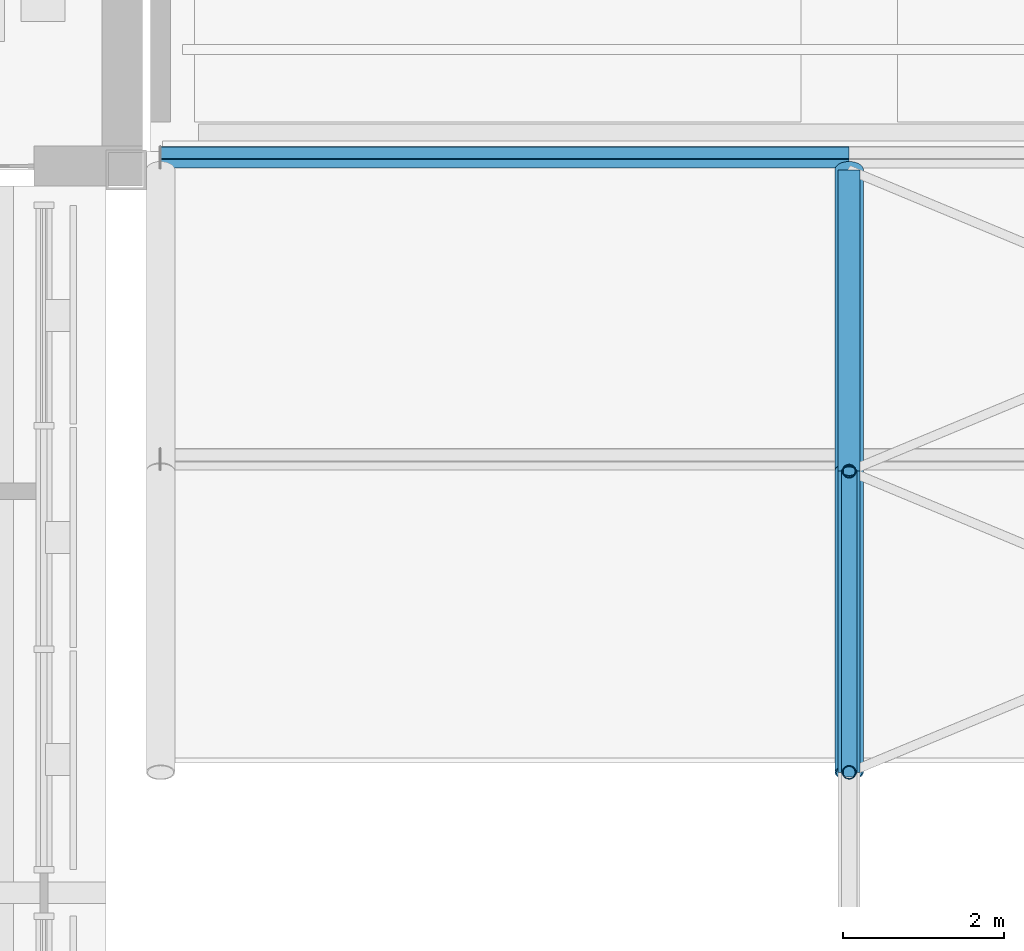
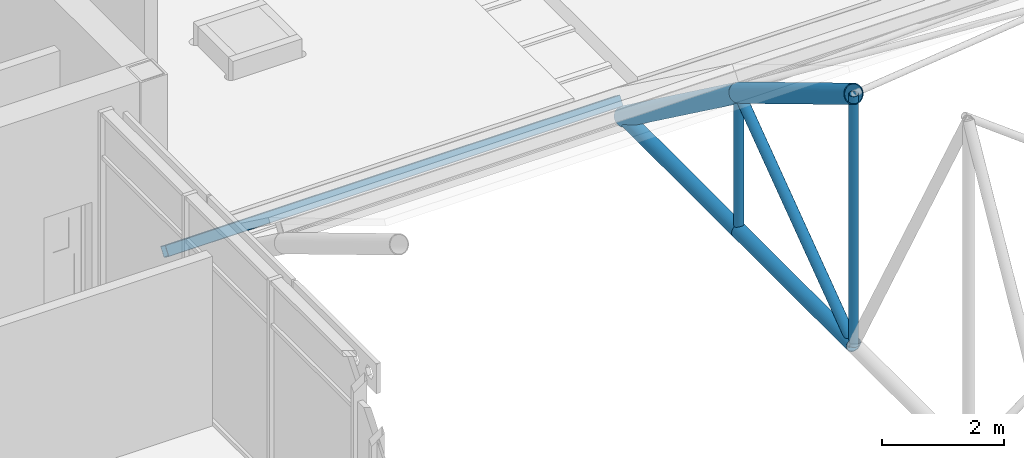
# One storey, part 39 of 153: 8 members.
"""IFC4 building model written with IfcOpenShell, lengths in metres."""

from ifc_helpers import new_model, si_unit, direction, frame, origin, origin_2d, place, context, subcontext, project, spatial, hollow_rectangle, hollow_circle, extrude, material, material_profile, profile_set, type_object, element, save


model = new_model("IFC4")

# Units and contexts
model_context = context("Model", 3, precision=1e-05, world=origin(), true_north=direction((0.0, 1.0)))
body_context = subcontext(model_context, "Body", "Model", "MODEL_VIEW")
ifc_project = project(units=[si_unit("LENGTHUNIT", "METRE"), si_unit("AREAUNIT", "SQUARE_METRE"), si_unit("VOLUMEUNIT", "CUBIC_METRE"), si_unit("PLANEANGLEUNIT", "RADIAN"), si_unit("MASSUNIT", "GRAM", prefix="KILO")], contexts=[model_context])

# Site, building, storey
site_placement = place(None, origin())
site = spatial("IfcSite", under=ifc_project, at=site_placement, CompositionType="ELEMENT")
building_placement = place(site_placement, origin())
building = spatial("IfcBuilding", under=site, at=building_placement, Name="Baradari Gate Terminus", CompositionType="ELEMENT")
storey_placement = place(building_placement, frame((0.0, 0.0, 11.699951171875)))
storey = spatial("IfcBuildingStorey", under=building, at=storey_placement, Name="L02", CompositionType="ELEMENT", Elevation=11.699951171875)

# Members
ifc_material_1 = material(Name="Steel S355", Category="steel")
ifc_material_profile_1 = material_profile(ifc_material_1, hollow_circle(Radius=0.136474609375, WallThickness=0.012451171875, at=origin_2d()), Name="CHS 273x12.5")
ifc_profile_set_1 = profile_set([ifc_material_profile_1], Name="Steel S355")
member_type_1 = type_object("IfcMemberType", Name="Shed bottom chord CHS 273x12.5", PredefinedType="CHORD", material=ifc_profile_set_1)
for number, where, z_axis, x_axis, name in (
    (1, (99.0, 73.5, 0.136474609375), (0.0, 1.0, 0.0), (-1.0, 0.0, 0.0), "TR/L02/S99-BC10"),
    (2, (99.0, 77.25, 0.136474609375), (0.0, 1.0, 0.0), (-1.0, 0.0, 0.0), "TR/L02/S99-BC11"),
):
    element("IfcMember", number, at=place(storey_placement, frame(where, z_axis=z_axis, x_axis=x_axis)), inside=storey, type_object=member_type_1, Name=name, PredefinedType="CHORD", context=body_context, shape_type="SweptSolid", body=[
        extrude(hollow_circle(Radius=0.136474609375, WallThickness=0.012451171875, at=origin_2d()), origin(), (0.0, 0.0, 1.0), 3.75),
    ])
ifc_material_2 = material(Name="Steel S355", Category="steel")
ifc_material_profile_2 = material_profile(ifc_material_2, hollow_rectangle(XDim=0.199951171875, YDim=0.199951171875, WallThickness=0.008056640625, InnerFilletRadius=0.008056640625, OuterFilletRadius=0.01611328125, at=origin_2d()), Name="SHS 200x200x8")
ifc_profile_set_2 = profile_set([ifc_material_profile_2], Name="Steel S355")
member_type_2 = type_object("IfcMemberType", Name="Shed purlin SHS 200x200x8", PredefinedType="PURLIN", material=ifc_profile_set_2)
member_1_placement = place(storey_placement, frame((90.427734375, 81.1572265625, 0.350830078125), z_axis=(1.0, 0.0, 0.0), x_axis=(0.0, 0.80640499586, -0.591363663621)))
element("IfcMember", 3, at=member_1_placement, inside=storey, type_object=member_type_2, Name="TR/L02/B99-PU12", PredefinedType="PURLIN", context=body_context, shape_type="SweptSolid", body=[
    extrude(hollow_rectangle(XDim=0.199951171875, YDim=0.199951171875, WallThickness=0.008056640625, InnerFilletRadius=0.008056640625, OuterFilletRadius=0.01611328125, at=origin_2d()), origin(), (0.0, 0.0, 1.0), 8.572265625),
])
ifc_material_3 = material(Name="Steel S355", Category="steel")
ifc_material_profile_3 = material_profile(ifc_material_3, hollow_circle(Radius=0.177734375, WallThickness=0.01611328125, at=origin_2d()), Name="CHS 355.6x16")
ifc_profile_set_3 = profile_set([ifc_material_profile_3], Name="Steel S355")
member_type_3 = type_object("IfcMemberType", Name="Shed top chord CHS 355.6x16", PredefinedType="CHORD", material=ifc_profile_set_3)
member_2_placement = place(storey_placement, frame((99.0, 73.5, 5.136474609375), z_axis=(0.0, 0.857492925713, -0.514495755428), x_axis=(-1.0, 0.0, 0.0)))
element("IfcMember", 4, at=member_2_placement, inside=storey, type_object=member_type_3, Name="TR/L02/S99-TC10", PredefinedType="CHORD", context=body_context, shape_type="SweptSolid", body=[
    extrude(hollow_circle(Radius=0.177734375, WallThickness=0.01611328125, at=origin_2d()), origin(), (0.0, 0.0, 1.0), 4.373291015625),
])
member_3_placement = place(storey_placement, frame((99.0, 77.25, 2.886474609375), z_axis=(0.0, 0.806404995856, -0.591363663628), x_axis=(-1.0, 0.0, 0.0)))
element("IfcMember", 5, at=member_3_placement, inside=storey, type_object=member_type_3, Name="TR/L02/S99-TC11", PredefinedType="CHORD", context=body_context, shape_type="SweptSolid", body=[
    extrude(hollow_circle(Radius=0.177734375, WallThickness=0.01611328125, at=origin_2d()), origin(), (0.0, 0.0, 1.0), 4.650390625),
])
ifc_material_4 = material(Name="Steel S355", Category="steel")
ifc_material_profile_4 = material_profile(ifc_material_4, hollow_circle(Radius=0.096923828125, WallThickness=0.008056640625, at=origin_2d()), Name="CHS 193.7x8")
ifc_profile_set_4 = profile_set([ifc_material_profile_4], Name="Steel S355")
member_type_4 = type_object("IfcMemberType", Name="Shed truss diagonal CHS 193.7x8", PredefinedType="BRACE", material=ifc_profile_set_4)
member_4_placement = place(storey_placement, frame((99.0, 77.25, 2.886474609375), z_axis=(0.0, -0.806404995856, -0.591363663628), x_axis=(1.0, 0.0, 0.0)))
element("IfcMember", 6, at=member_4_placement, inside=storey, type_object=member_type_4, Name="TR/L02/S99-SD10", PredefinedType="BRACE", context=body_context, shape_type="SweptSolid", body=[
    extrude(hollow_circle(Radius=0.096923828125, WallThickness=0.008056640625, at=origin_2d()), origin(), (0.0, 0.0, 1.0), 4.650390625),
])
ifc_material_5 = material(Name="Steel S355", Category="steel")
ifc_material_profile_5 = material_profile(ifc_material_5, hollow_circle(Radius=0.084228515625, WallThickness=0.008056640625, at=origin_2d()), Name="CHS 168.3x8")
ifc_profile_set_5 = profile_set([ifc_material_profile_5], Name="Steel S355")
member_type_5 = type_object("IfcMemberType", Name="Shed truss post CHS 168.3x8", PredefinedType="POST", material=ifc_profile_set_5)
member_5_placement = place(storey_placement, frame((99.0, 73.5, 0.136474609375), z_axis=(0.0, 0.0, 1.0), x_axis=(1.0, 0.0, 0.0)))
element("IfcMember", 7, at=member_5_placement, inside=storey, type_object=member_type_5, Name="TR/L02/S99-SP10", PredefinedType="POST", context=body_context, shape_type="SweptSolid", body=[
    extrude(hollow_circle(Radius=0.084228515625, WallThickness=0.008056640625, at=origin_2d()), origin(), (0.0, 0.0, 1.0), 5.0),
])
member_6_placement = place(storey_placement, frame((99.0, 77.25, 0.136474609375), z_axis=(0.0, 0.0, 1.0), x_axis=(1.0, 0.0, 0.0)))
element("IfcMember", 8, at=member_6_placement, inside=storey, type_object=member_type_5, Name="TR/L02/S99-SP11", PredefinedType="POST", context=body_context, shape_type="SweptSolid", body=[
    extrude(hollow_circle(Radius=0.084228515625, WallThickness=0.008056640625, at=origin_2d()), origin(), (0.0, 0.0, 1.0), 2.75),
])

save(model, "model.ifc")
